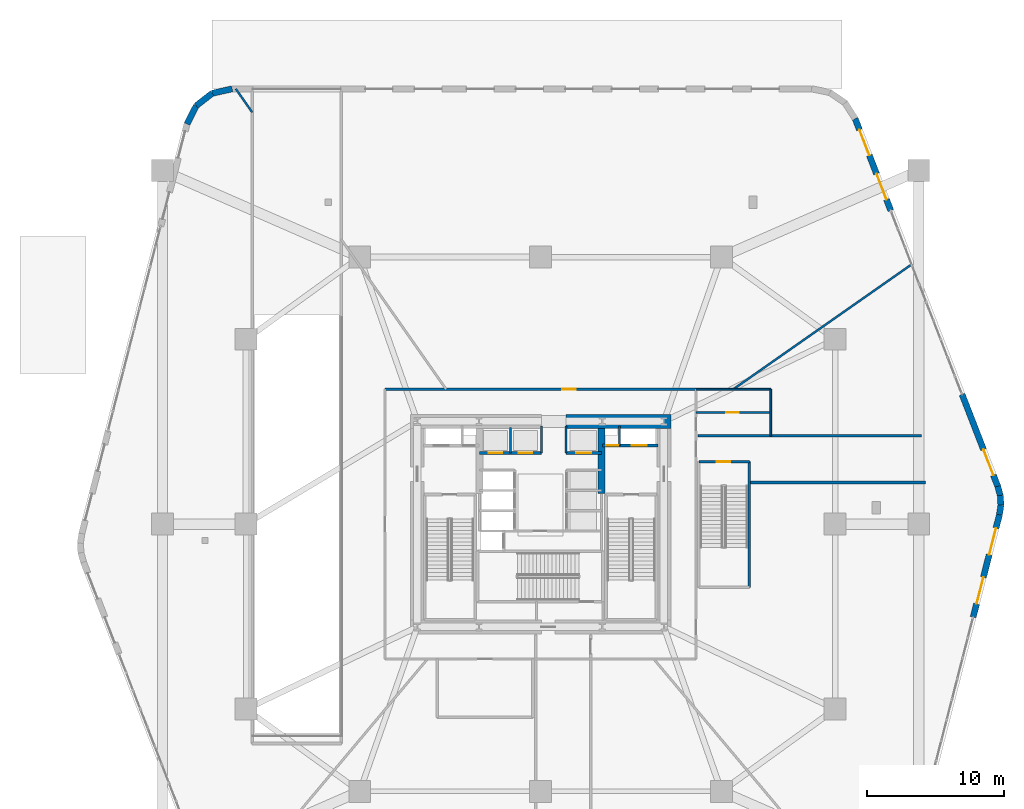
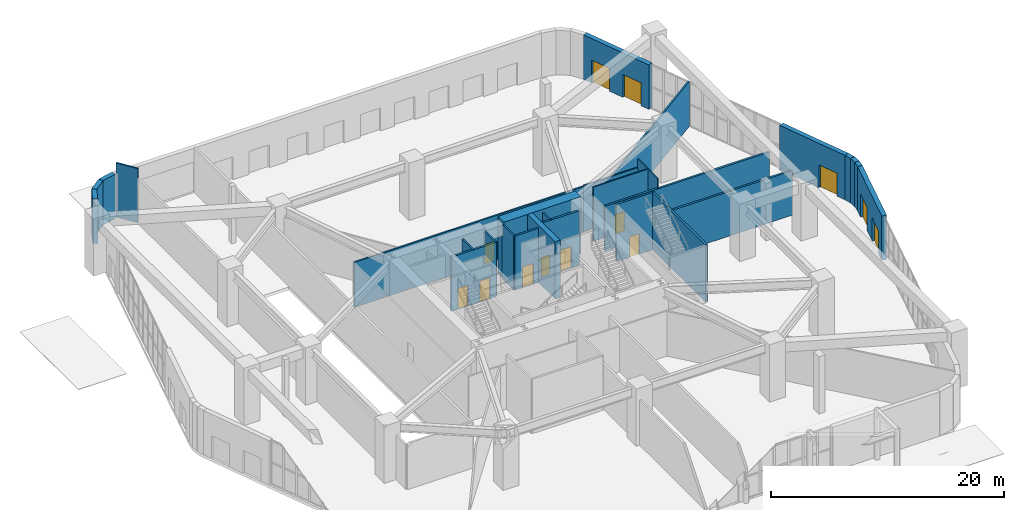
# One storey, part 26 of 35: 28 walls, 13 doors, 13 openings.
"""IFC4 building model written with IfcOpenShell, lengths in metres."""

from ifc_helpers import new_model, si_unit, direction, frame, frame_2d, origin, place, context, subcontext, project, spatial, rectangle, extrude, material, layer, layer_set, type_object, element, fill, save


model = new_model("IFC4")

# Units and contexts
model_context = context("Model", 3, precision=1e-05, world=origin(), true_north=direction((0.0, 1.0)))
body_context = subcontext(model_context, "Body", "Model", "MODEL_VIEW")
ifc_project = project(units=[si_unit("LENGTHUNIT", "METRE"), si_unit("AREAUNIT", "SQUARE_METRE"), si_unit("VOLUMEUNIT", "CUBIC_METRE"), si_unit("PLANEANGLEUNIT", "RADIAN"), si_unit("MASSUNIT", "GRAM", prefix="KILO")], contexts=[model_context])

# Site, building, storey
site_placement = place(None, origin())
site = spatial("IfcSite", under=ifc_project, at=site_placement, CompositionType="ELEMENT")
building_placement = place(site_placement, origin())
building = spatial("IfcBuilding", under=site, at=building_placement, Name="Kilnhurst Terrace Hotel", CompositionType="ELEMENT")
storey_placement = place(building_placement, origin())
storey = spatial("IfcBuildingStorey", under=building, at=storey_placement, Name="L00", CompositionType="ELEMENT", Elevation=0.0)

# Walls
ifc_material_1 = material(Name="Precast concrete C40/50", Category="concrete")
ifc_layer_1 = layer(ifc_material_1, 0.449951171875, Name="Precast concrete C40/50")
ifc_layer_set_1 = layer_set([ifc_layer_1], Name="Precast concrete C40/50")
wall_type_1 = type_object("IfcWallType", Name="WL-BRK-450", PredefinedType="SOLIDWALL", material=ifc_layer_set_1)
wall_1_placement = place(storey_placement, frame((33.49169921875, 0.68505859375, 0.0), z_axis=(0.0, 0.0, 1.0), x_axis=(0.147296976116, 0.98909231158, 0.0)))
element("IfcWall", 1, at=wall_1_placement, inside=storey, type_object=wall_type_1, Name="L00 Rounded Corner Brick Wall C3.1", PredefinedType="SOLIDWALL", context=body_context, shape_type="SweptSolid", body=[
    extrude(rectangle(XDim=0.70947265625, YDim=0.449951171875, at=frame_2d((0.354736328125, 0.0))), origin(), (0.0, 0.0, 1.0), 4.64990234375),
])
wall_2_placement = place(storey_placement, frame((33.59619140625, 1.38671875, 0.0), z_axis=(0.0, 0.0, 1.0), x_axis=(-0.059501681244, 0.998228205336, 0.0)))
element("IfcWall", 2, at=wall_2_placement, inside=storey, type_object=wall_type_1, Name="L00 Rounded Corner Brick Wall C3.2", PredefinedType="SOLIDWALL", context=body_context, shape_type="SweptSolid", body=[
    extrude(rectangle(XDim=0.697509765625, YDim=0.449951171875, at=frame_2d((0.3486328125, 0.0))), origin(), (0.0, 0.0, 1.0), 4.64990234375),
])
wall_3_placement = place(storey_placement, frame((33.5546875, 2.0830078125, 0.0), z_axis=(0.0, 0.0, 1.0), x_axis=(-0.263379583897, 0.964692279842, 0.0)))
element("IfcWall", 3, at=wall_3_placement, inside=storey, type_object=wall_type_1, Name="L00 Rounded Corner Brick Wall C3.3", PredefinedType="SOLIDWALL", context=body_context, shape_type="SweptSolid", body=[
    extrude(rectangle(XDim=0.709228515625, YDim=0.449951171875, at=frame_2d((0.3544921875, 0.0))), origin(), (0.0, 0.0, 1.0), 4.64990234375),
])
wall_4_placement = place(storey_placement, frame((-22.512939453125, 31.77490234375, 0.0), z_axis=(0.0, 0.0, 1.0), x_axis=(-0.97592514807, -0.218105720613, 0.0)))
element("IfcWall", 4, at=wall_4_placement, inside=storey, type_object=wall_type_1, Name="L00 Rounded Corner Brick Wall C5.1", PredefinedType="SOLIDWALL", context=body_context, shape_type="SweptSolid", body=[
    extrude(rectangle(XDim=1.495361328125, YDim=0.449951171875, at=frame_2d((0.74755859375, 0.0))), origin(), (0.0, 0.0, 1.0), 4.64990234375),
])
wall_5_placement = place(storey_placement, frame((-23.972412109375, 31.44873046875, 0.0), z_axis=(0.0, 0.0, 1.0), x_axis=(-0.790147566143, -0.612916653157, 0.0)))
element("IfcWall", 5, at=wall_5_placement, inside=storey, type_object=wall_type_1, Name="L00 Rounded Corner Brick Wall C5.2", PredefinedType="SOLIDWALL", context=body_context, shape_type="SweptSolid", body=[
    extrude(rectangle(XDim=1.4697265625, YDim=0.449951171875, at=frame_2d((0.73486328125, 0.0))), origin(), (0.0, 0.0, 1.0), 4.64990234375),
])
wall_6_placement = place(storey_placement, frame((-25.1337890625, 30.5478515625, 0.0), z_axis=(0.0, 0.0, 1.0), x_axis=(-0.45418744744, -0.890906146902, 0.0)))
element("IfcWall", 6, at=wall_6_placement, inside=storey, type_object=wall_type_1, Name="L00 Rounded Corner Brick Wall C5.3", PredefinedType="SOLIDWALL", context=body_context, shape_type="SweptSolid", body=[
    extrude(rectangle(XDim=1.495361328125, YDim=0.449951171875, at=frame_2d((0.74755859375, 0.0))), origin(), (0.0, 0.0, 1.0), 4.64990234375),
])

# Wall, openings, doors
wall_7_placement = place(storey_placement, frame((31.572021484375, -6.790283203125, 0.0), z_axis=(0.0, 0.0, 1.0), x_axis=(0.248730751762, 0.968572667964, 0.0)))
wall_7 = element("IfcWall", 7, at=wall_7_placement, inside=storey, type_object=wall_type_1, Name="L00 Face 2 End Brick Pier", PredefinedType="SOLIDWALL", context=body_context, shape_type="SweptSolid", body=[
    extrude(rectangle(XDim=7.7177734375, YDim=0.449951171875, at=frame_2d((3.85888671875, 0.0))), origin(), (0.0, 0.0, 1.0), 4.64990234375),
])
opening_1_placement = place(wall_7_placement, frame((1.007080078125, 0.0, 0.0)))
opening_1 = element("IfcOpeningElement", 8, at=opening_1_placement, cuts=wall_7, Name="Opening ED-06", PredefinedType="OPENING", context=body_context, shape_type="SweptSolid", body=[
    extrude(rectangle(XDim=2.0, YDim=2.39990234375, at=frame_2d((1.0, 1.199951171875))), frame((0.0, 0.23486328125, 0.0), z_axis=(0.0, -1.0, 0.0), x_axis=(1.0, 0.0, 0.0)), (0.0, 0.0, 1.0), 0.469970703125),
])
opening_2_placement = place(wall_7_placement, frame((4.7109375, 0.0, 0.0)))
opening_2 = element("IfcOpeningElement", 9, at=opening_2_placement, cuts=wall_7, Name="Opening ED-07", PredefinedType="OPENING", context=body_context, shape_type="SweptSolid", body=[
    extrude(rectangle(XDim=2.0, YDim=2.39990234375, at=frame_2d((1.0, 1.199951171875))), frame((0.0, 0.23486328125, 0.0), z_axis=(0.0, -1.0, 0.0), x_axis=(1.0, 0.0, 0.0)), (0.0, 0.0, 1.0), 0.469970703125),
])
ifc_material_2 = material(Name="Thermally Broken Bronze Aluminium Alloy 6063-T6 and Laminated Glass", Category="aluminium")
door_type_1 = type_object("IfcDoorType", Name="DR-EXT-EXIT-2000", OperationType="NOTDEFINED", PredefinedType="DOOR", material=ifc_material_2)
door_1_placement = place(opening_1_placement, origin())
door_1 = element("IfcDoor", 10, at=door_1_placement, inside=storey, type_object=door_type_1, Name="L00 Street Exit Door ED-06", OperationType="DOUBLE_SWING_LEFT", OverallHeight=2.39990234375, OverallWidth=2.0, PredefinedType="DOOR", context=body_context, shape_type="SweptSolid", body=[
    extrude(rectangle(XDim=2.0, YDim=2.39990234375, at=frame_2d((1.0, 1.199951171875))), frame((0.0, 0.02490234375, 0.0), z_axis=(0.0, -1.0, 0.0), x_axis=(1.0, 0.0, 0.0)), (0.0, 0.0, 1.0), 0.050048828125),
])
fill(opening_1, door_1)
door_2_placement = place(opening_2_placement, origin())
door_2 = element("IfcDoor", 11, at=door_2_placement, inside=storey, type_object=door_type_1, Name="L00 Street Exit Door ED-07", OperationType="DOUBLE_SWING_LEFT", OverallHeight=2.39990234375, OverallWidth=2.0, PredefinedType="DOOR", context=body_context, shape_type="SweptSolid", body=[
    extrude(rectangle(XDim=2.0, YDim=2.39990234375, at=frame_2d((1.0, 1.199951171875))), frame((0.0, 0.02490234375, 0.0), z_axis=(0.0, -1.0, 0.0), x_axis=(1.0, 0.0, 0.0)), (0.0, 0.0, 1.0), 0.050048828125),
])
fill(opening_2, door_2)

# Wall, opening, door
wall_8_placement = place(storey_placement, frame((33.367919921875, 2.76708984375, 0.0), z_axis=(0.0, 0.0, 1.0), x_axis=(-0.361647043452, 0.932315084058, 0.0)))
wall_8 = element("IfcWall", 12, at=wall_8_placement, inside=storey, type_object=wall_type_1, Name="L00 Face 3 Brick Pier 1", PredefinedType="SOLIDWALL", context=body_context, shape_type="SweptSolid", body=[
    extrude(rectangle(XDim=7.195068359375, YDim=0.449951171875, at=frame_2d((3.59765625, 0.0))), origin(), (0.0, 0.0, 1.0), 4.64990234375),
])
opening_3_placement = place(wall_8_placement, frame((0.87109375, 0.0, 0.0)))
opening_3 = element("IfcOpeningElement", 13, at=opening_3_placement, cuts=wall_8, Name="Opening ED-08", PredefinedType="OPENING", context=body_context, shape_type="SweptSolid", body=[
    extrude(rectangle(XDim=2.0, YDim=2.39990234375, at=frame_2d((1.0, 1.199951171875))), frame((0.0, 0.23486328125, 0.0), z_axis=(0.0, -1.0, 0.0), x_axis=(1.0, 0.0, 0.0)), (0.0, 0.0, 1.0), 0.469970703125),
])
door_3_placement = place(opening_3_placement, origin())
door_3 = element("IfcDoor", 14, at=door_3_placement, inside=storey, type_object=door_type_1, Name="L00 Street Exit Door ED-08", OperationType="DOUBLE_SWING_LEFT", OverallHeight=2.39990234375, OverallWidth=2.0, PredefinedType="DOOR", context=body_context, shape_type="SweptSolid", body=[
    extrude(rectangle(XDim=2.0, YDim=2.39990234375, at=frame_2d((1.0, 1.199951171875))), frame((0.0, 0.02490234375, 0.0), z_axis=(0.0, -1.0, 0.0), x_axis=(1.0, 0.0, 0.0)), (0.0, 0.0, 1.0), 0.050048828125),
])
fill(opening_3, door_3)

# Wall, openings, doors
wall_9_placement = place(storey_placement, frame((25.56201171875, 22.891357421875, 0.0), z_axis=(0.0, 0.0, 1.0), x_axis=(-0.361665095845, 0.932308081295, 0.0)))
wall_9 = element("IfcWall", 15, at=wall_9_placement, inside=storey, type_object=wall_type_1, Name="L00 Face 3 End Brick Pier", PredefinedType="SOLIDWALL", context=body_context, shape_type="SweptSolid", body=[
    extrude(rectangle(XDim=7.1953125, YDim=0.449951171875, at=frame_2d((3.59765625, 0.0))), origin(), (0.0, 0.0, 1.0), 4.64990234375),
])
opening_4_placement = place(wall_9_placement, frame((0.87109375, 0.0, 0.0)))
opening_4 = element("IfcOpeningElement", 16, at=opening_4_placement, cuts=wall_9, Name="Opening ED-09", PredefinedType="OPENING", context=body_context, shape_type="SweptSolid", body=[
    extrude(rectangle(XDim=2.0, YDim=2.39990234375, at=frame_2d((1.0, 1.199951171875))), frame((0.0, 0.23486328125, 0.0), z_axis=(0.0, -1.0, 0.0), x_axis=(1.0, 0.0, 0.0)), (0.0, 0.0, 1.0), 0.469970703125),
])
opening_5_placement = place(wall_9_placement, frame((4.323974609375, 0.0, 0.0)))
opening_5 = element("IfcOpeningElement", 17, at=opening_5_placement, cuts=wall_9, Name="Opening ED-10", PredefinedType="OPENING", context=body_context, shape_type="SweptSolid", body=[
    extrude(rectangle(XDim=2.0, YDim=2.39990234375, at=frame_2d((1.0, 1.199951171875))), frame((0.0, 0.23486328125, 0.0), z_axis=(0.0, -1.0, 0.0), x_axis=(1.0, 0.0, 0.0)), (0.0, 0.0, 1.0), 0.469970703125),
])
door_4_placement = place(opening_4_placement, origin())
door_4 = element("IfcDoor", 18, at=door_4_placement, inside=storey, type_object=door_type_1, Name="L00 Street Exit Door ED-09", OperationType="DOUBLE_SWING_LEFT", OverallHeight=2.39990234375, OverallWidth=2.0, PredefinedType="DOOR", context=body_context, shape_type="SweptSolid", body=[
    extrude(rectangle(XDim=2.0, YDim=2.39990234375, at=frame_2d((1.0, 1.199951171875))), frame((0.0, 0.02490234375, 0.0), z_axis=(0.0, -1.0, 0.0), x_axis=(1.0, 0.0, 0.0)), (0.0, 0.0, 1.0), 0.050048828125),
])
fill(opening_4, door_4)
door_5_placement = place(opening_5_placement, origin())
door_5 = element("IfcDoor", 19, at=door_5_placement, inside=storey, type_object=door_type_1, Name="L00 Street Exit Door ED-10", OperationType="DOUBLE_SWING_LEFT", OverallHeight=2.39990234375, OverallWidth=2.0, PredefinedType="DOOR", context=body_context, shape_type="SweptSolid", body=[
    extrude(rectangle(XDim=2.0, YDim=2.39990234375, at=frame_2d((1.0, 1.199951171875))), frame((0.0, 0.02490234375, 0.0), z_axis=(0.0, -1.0, 0.0), x_axis=(1.0, 0.0, 0.0)), (0.0, 0.0, 1.0), 0.050048828125),
])
fill(opening_5, door_5)

# Wall, opening, door
ifc_material_3 = material(Name="Acoustic Double-Gypsum Corridor Partition Assembly")
ifc_layer_2 = layer(ifc_material_3, 0.14990234375, Name="Acoustic Double-Gypsum Corridor Partition Assembly")
ifc_layer_set_2 = layer_set([ifc_layer_2], Name="Acoustic Double-Gypsum Corridor Partition Assembly")
wall_type_2 = type_object("IfcWallType", Name="WL-COR-150", PredefinedType="PARTITIONING", material=ifc_layer_set_2)
wall_10_placement = place(storey_placement, frame((-11.35009765625, 9.85009765625, 0.0), z_axis=(0.0, 0.0, 1.0), x_axis=(1.0, 0.0, 0.0)))
wall_10 = element("IfcWall", 20, at=wall_10_placement, inside=storey, type_object=wall_type_2, Name="L00 Interior Wall WL-L00-COR-02", PredefinedType="PARTITIONING", context=body_context, shape_type="SweptSolid", body=[
    extrude(rectangle(XDim=22.7001953125, YDim=0.14990234375, at=frame_2d((11.35009765625, 0.0))), origin(), (0.0, 0.0, 1.0), 4.721923828125),
])
opening_6_placement = place(wall_10_placement, frame((12.929931640625, 0.0, 0.0)))
opening_6 = element("IfcOpeningElement", 21, at=opening_6_placement, cuts=wall_10, Name="Opening D-10A", PredefinedType="OPENING", context=body_context, shape_type="SweptSolid", body=[
    extrude(rectangle(XDim=1.0, YDim=2.030029296875, at=frame_2d((0.5, 1.01513671875))), frame((0.0, 0.0849609375, 0.0), z_axis=(0.0, -1.0, 0.0), x_axis=(1.0, 0.0, 0.0)), (0.0, 0.0, 1.0), 0.169921875),
])
ifc_material_4 = material(Name="Solid-Core American White Oak Interior Door")
door_type_2 = type_object("IfcDoorType", Name="DR-INT-1000", OperationType="NOTDEFINED", PredefinedType="DOOR", material=ifc_material_4)
door_6_placement = place(opening_6_placement, origin())
door_6 = element("IfcDoor", 22, at=door_6_placement, inside=storey, type_object=door_type_2, Name="L00 Concierge Lounge and Luggage Salon Door", OperationType="SINGLE_SWING_LEFT", OverallHeight=2.030029296875, OverallWidth=1.0, PredefinedType="DOOR", context=body_context, shape_type="SweptSolid", body=[
    extrude(rectangle(XDim=1.0, YDim=2.030029296875, at=frame_2d((0.5, 1.01513671875))), frame((0.0, 0.02490234375, 0.0), z_axis=(0.0, -1.0, 0.0), x_axis=(1.0, 0.0, 0.0)), (0.0, 0.0, 1.0), 0.050048828125),
])
fill(opening_6, door_6)

# Walls
ifc_material_5 = material(Name="Concrete C80/95", Category="concrete")
ifc_layer_3 = layer(ifc_material_5, 1.0, Name="Concrete C80/95")
ifc_layer_set_3 = layer_set([ifc_layer_3], Name="Concrete C80/95")
wall_type_3 = type_object("IfcWallType", Name="WL-CORE-1000", PredefinedType="SHEAR", material=ifc_layer_set_3)
wall_11_placement = place(storey_placement, frame((1.85009765625, 7.5, 0.0), z_axis=(0.0, 0.0, 1.0), x_axis=(1.0, 0.0, 0.0)))
element("IfcWall", 23, at=wall_11_placement, inside=storey, type_object=wall_type_3, Name="L00 Core North East Shear Wall", PredefinedType="SHEAR", context=body_context, shape_type="SweptSolid", body=[
    extrude(rectangle(XDim=7.64990234375, YDim=1.0, at=frame_2d((3.824951171875, 0.0))), origin(), (0.0, 0.0, 1.0), 6.0),
])
ifc_material_6 = material(Name="Concrete C60/75", Category="concrete")
ifc_layer_4 = layer(ifc_material_6, 0.5, Name="Concrete C60/75")
ifc_layer_set_4 = layer_set([ifc_layer_4], Name="Concrete C60/75")
wall_type_4 = type_object("IfcWallType", Name="WL-CORE-WEB-500", PredefinedType="SHEAR", material=ifc_layer_set_4)
wall_12_placement = place(storey_placement, frame((4.449951171875, 2.25, 0.0), z_axis=(0.0, 0.0, 1.0), x_axis=(0.0, 1.0, 0.0)))
element("IfcWall", 24, at=wall_12_placement, inside=storey, type_object=wall_type_4, Name="L00 Core Internal East Shear Web", PredefinedType="SHEAR", context=body_context, shape_type="SweptSolid", body=[
    extrude(rectangle(XDim=4.75, YDim=0.5, at=frame_2d((2.375, 0.0))), origin(), (0.0, 0.0, 1.0), 6.0),
])
ifc_material_7 = material(Name="120 mm Moisture-Resistant Tile-Backed Bathroom Partition")
ifc_layer_5 = layer(ifc_material_7, 0.1201171875, Name="120 mm Moisture-Resistant Tile-Backed Bathroom Partition")
ifc_layer_set_5 = layer_set([ifc_layer_5], Name="120 mm Moisture-Resistant Tile-Backed Bathroom Partition")
wall_type_5 = type_object("IfcWallType", Name="WL-PART-120", PredefinedType="PARTITIONING", material=ifc_layer_set_5)
wall_13_placement = place(storey_placement, frame((16.800048828125, 6.449951171875, 0.0), z_axis=(0.0, 0.0, 1.0), x_axis=(0.0, 1.0, 0.0)))
element("IfcWall", 25, at=wall_13_placement, inside=storey, type_object=wall_type_5, Name="L00 Interior Wall WL-L00-PWC-E", PredefinedType="PARTITIONING", context=body_context, shape_type="SweptSolid", body=[
    extrude(rectangle(XDim=3.400146484375, YDim=0.1201171875, at=frame_2d((1.7001953125, 0.0))), origin(), (0.0, 0.0, 1.0), 5.679931640625),
])
wall_14_placement = place(storey_placement, frame((11.35009765625, 9.85009765625, 0.0), z_axis=(0.0, 0.0, 1.0), x_axis=(1.0, 0.0, 0.0)))
element("IfcWall", 26, at=wall_14_placement, inside=storey, type_object=wall_type_5, Name="L00 Interior Wall WL-L00-PWC-N", PredefinedType="PARTITIONING", context=body_context, shape_type="SweptSolid", body=[
    extrude(rectangle(XDim=5.449951171875, YDim=0.1201171875, at=frame_2d((2.72509765625, 0.0))), origin(), (0.0, 0.0, 1.0), 4.814208984375),
])

# Wall, opening, door
wall_15_placement = place(storey_placement, frame((11.35009765625, 8.14990234375, 0.0), z_axis=(0.0, 0.0, 1.0), x_axis=(1.0, 0.0, 0.0)))
wall_15 = element("IfcWall", 27, at=wall_15_placement, inside=storey, type_object=wall_type_5, Name="L00 Interior Wall WL-L00-PWC-MID", PredefinedType="PARTITIONING", context=body_context, shape_type="SweptSolid", body=[
    extrude(rectangle(XDim=5.449951171875, YDim=0.1201171875, at=frame_2d((2.72509765625, 0.0))), origin(), (0.0, 0.0, 1.0), 5.679931640625),
])
opening_7_placement = place(wall_15_placement, frame((2.199951171875, 0.0, 0.0)))
opening_7 = element("IfcOpeningElement", 28, at=opening_7_placement, cuts=wall_15, Name="Opening D-09B", PredefinedType="OPENING", context=body_context, shape_type="SweptSolid", body=[
    extrude(rectangle(XDim=0.89990234375, YDim=2.030029296875, at=frame_2d((0.449951171875, 1.01513671875))), frame((0.0, 0.070068359375, 0.0), z_axis=(0.0, -1.0, 0.0), x_axis=(1.0, 0.0, 0.0)), (0.0, 0.0, 1.0), 0.14013671875),
])
ifc_material_8 = material(Name="Moisture-Resistant Solid-Core Restroom Door")
door_type_3 = type_object("IfcDoorType", Name="DR-INT-900", OperationType="NOTDEFINED", PredefinedType="DOOR", material=ifc_material_8)
door_7_placement = place(opening_7_placement, origin())
door_7 = element("IfcDoor", 29, at=door_7_placement, inside=storey, type_object=door_type_3, Name="L00 Accessible Restroom Door", OperationType="SINGLE_SWING_RIGHT", OverallHeight=2.030029296875, OverallWidth=0.89990234375, PredefinedType="DOOR", context=body_context, shape_type="SweptSolid", body=[
    extrude(rectangle(XDim=0.89990234375, YDim=2.030029296875, at=frame_2d((0.449951171875, 1.01513671875))), frame((0.0, 0.02490234375, 0.0), z_axis=(0.0, -1.0, 0.0), x_axis=(1.0, 0.0, 0.0)), (0.0, 0.0, 1.0), 0.050048828125),
])
fill(opening_7, door_7)

# Walls
ifc_material_9 = material(Name="150 mm Acoustic Gypsum Hospitality Partition")
ifc_layer_6 = layer(ifc_material_9, 0.14990234375, Name="150 mm Acoustic Gypsum Hospitality Partition")
ifc_layer_set_6 = layer_set([ifc_layer_6], Name="150 mm Acoustic Gypsum Hospitality Partition")
wall_type_6 = type_object("IfcWallType", Name="WL-PART-150", PredefinedType="PARTITIONING", material=ifc_layer_set_6)
wall_16_placement = place(storey_placement, frame((14.0673828125, 9.85009765625, 0.0), z_axis=(0.0, 0.0, 1.0), x_axis=(0.819152520239, 0.573575756623, 0.0)))
element("IfcWall", 30, at=wall_16_placement, inside=storey, type_object=wall_type_6, Name="L00 Interior Wall WL-L00-PDIV-3-1", PredefinedType="PARTITIONING", context=body_context, shape_type="SweptSolid", body=[
    extrude(rectangle(XDim=15.8916015625, YDim=0.14990234375, at=frame_2d((7.94580078125, 0.0))), origin(), (0.0, 0.0, 1.0), 4.721923828125),
])
wall_17_placement = place(storey_placement, frame((-21.050048828125, 30.0625, 0.0), z_axis=(0.0, 0.0, 1.0), x_axis=(-0.57355639976, 0.819166073696, 0.0)))
element("IfcWall", 31, at=wall_17_placement, inside=storey, type_object=wall_type_6, Name="L00 Interior Wall WL-L00-PDIV-4-2", PredefinedType="PARTITIONING", context=body_context, shape_type="SweptSolid", body=[
    extrude(rectangle(XDim=2.09033203125, YDim=0.14990234375, at=frame_2d((1.045166015625, 0.0))), origin(), (0.0, 0.0, 1.0), 5.679931640625),
])
ifc_material_10 = material(Name="Fire-Rated Gypsum Shaftliner Assembly")
ifc_layer_7 = layer(ifc_material_10, 0.14990234375, Name="Fire-Rated Gypsum Shaftliner Assembly")
ifc_layer_set_7 = layer_set([ifc_layer_7], Name="Fire-Rated Gypsum Shaftliner Assembly")
wall_type_7 = type_object("IfcWallType", Name="WL-SHAFT-150", PredefinedType="PARTITIONING", material=ifc_layer_set_7)
wall_18_placement = place(storey_placement, frame((5.75, 5.739990234375, 0.0), z_axis=(0.0, 0.0, 1.0), x_axis=(0.0, 1.0, 0.0)))
element("IfcWall", 32, at=wall_18_placement, inside=storey, type_object=wall_type_7, Name="L00 Interior Wall WL-L00-RIS2-DIV", PredefinedType="PARTITIONING", context=body_context, shape_type="SweptSolid", body=[
    extrude(rectangle(XDim=1.409912109375, YDim=0.14990234375, at=frame_2d((0.705078125, 0.0))), origin(), (0.0, 0.0, 1.0), 5.679931640625),
])
wall_19_placement = place(storey_placement, frame((-2.199951171875, 5.199951171875, 0.0), z_axis=(0.0, 0.0, 1.0), x_axis=(0.0, 1.0, 0.0)))
element("IfcWall", 33, at=wall_19_placement, inside=storey, type_object=wall_type_7, Name="L00 Interior Wall WL-L00-HR-DIV1", PredefinedType="PARTITIONING", context=body_context, shape_type="SweptSolid", body=[
    extrude(rectangle(XDim=1.85009765625, YDim=0.14990234375, at=frame_2d((0.925048828125, 0.0))), origin(), (0.0, 0.0, 1.0), 5.679931640625),
])
for number, where, z_axis, x_axis, name in (
    (34, (0.050048828125, 5.199951171875, 0.0), (0.0, 0.0, 1.0), (0.0, 1.0, 0.0), "L00 Interior Wall WL-L00-HR-PORTAL-W"),
    (35, (1.85009765625, 5.199951171875, 0.0), (0.0, 0.0, 1.0), (0.0, 1.0, 0.0), "L00 Interior Wall WL-L00-HR-PORTAL-E"),
):
    element("IfcWall", number, at=place(storey_placement, frame(where, z_axis=z_axis, x_axis=x_axis)), inside=storey, type_object=wall_type_7, Name=name, PredefinedType="PARTITIONING", context=body_context, shape_type="SweptSolid", body=[
        extrude(rectangle(XDim=1.949951171875, YDim=0.14990234375, at=frame_2d((0.97509765625, 0.0))), origin(), (0.0, 0.0, 1.0), 5.679931640625),
    ])

# Wall, openings, doors
ifc_material_11 = material(Name="Autoclaved Aerated Concrete C30/37 and Gypsum Shaft Assembly", Category="concrete")
ifc_layer_8 = layer(ifc_material_11, 0.199951171875, Name="Autoclaved Aerated Concrete C30/37 and Gypsum Shaft Assembly")
ifc_layer_set_8 = layer_set([ifc_layer_8], Name="Autoclaved Aerated Concrete C30/37 and Gypsum Shaft Assembly")
wall_type_8 = type_object("IfcWallType", Name="WL-SHAFT-200", PredefinedType="PARTITIONING", material=ifc_layer_set_8)
wall_20_placement = place(storey_placement, frame((4.5, 5.739990234375, 0.0), z_axis=(0.0, 0.0, 1.0), x_axis=(1.0, 0.0, 0.0)))
wall_20 = element("IfcWall", 36, at=wall_20_placement, inside=storey, type_object=wall_type_8, Name="L00 Interior Wall WL-L00-FSAE2-S", PredefinedType="PARTITIONING", context=body_context, shape_type="SweptSolid", body=[
    extrude(rectangle(XDim=4.050048828125, YDim=0.199951171875, at=frame_2d((2.02490234375, 0.0))), origin(), (0.0, 0.0, 1.0), 5.679931640625),
])
opening_8_placement = place(wall_20_placement, frame((0.300048828125, 0.0, 0.0)))
opening_8 = element("IfcOpeningElement", 37, at=opening_8_placement, cuts=wall_20, Name="Opening D-60D", PredefinedType="OPENING", context=body_context, shape_type="SweptSolid", body=[
    extrude(rectangle(XDim=0.85009765625, YDim=2.030029296875, at=frame_2d((0.425048828125, 1.01513671875))), frame((0.0, 0.10986328125, 0.0), z_axis=(0.0, -1.0, 0.0), x_axis=(1.0, 0.0, 0.0)), (0.0, 0.0, 1.0), 0.219970703125),
])
opening_9_placement = place(wall_20_placement, frame((2.14990234375, 0.0, 0.0)))
opening_9 = element("IfcOpeningElement", 38, at=opening_9_placement, cuts=wall_20, Name="Opening LD-F2", PredefinedType="OPENING", context=body_context, shape_type="SweptSolid", body=[
    extrude(rectangle(XDim=1.10009765625, YDim=2.199951171875, at=frame_2d((0.550048828125, 1.10009765625))), frame((0.0, 0.10986328125, 0.0), z_axis=(0.0, -1.0, 0.0), x_axis=(1.0, 0.0, 0.0)), (0.0, 0.0, 1.0), 0.219970703125),
])
ifc_material_12 = material(Name="Painted Hollow Metal Steel ASTM A36 Riser Door", Category="steel")
door_type_4 = type_object("IfcDoorType", Name="DR-FD60-850", OperationType="NOTDEFINED", PredefinedType="DOOR", material=ifc_material_12)
door_8_placement = place(opening_8_placement, origin())
door_8 = element("IfcDoor", 39, at=door_8_placement, inside=storey, type_object=door_type_4, Name="L00 Telecom Riser Door", OperationType="SINGLE_SWING_RIGHT", OverallHeight=2.030029296875, OverallWidth=0.85009765625, PredefinedType="DOOR", context=body_context, shape_type="SweptSolid", body=[
    extrude(rectangle(XDim=0.85009765625, YDim=2.030029296875, at=frame_2d((0.425048828125, 1.01513671875))), frame((0.0, 0.02490234375, 0.0), z_axis=(0.0, -1.0, 0.0), x_axis=(1.0, 0.0, 0.0)), (0.0, 0.0, 1.0), 0.050048828125),
])
fill(opening_8, door_8)
ifc_material_13 = material(Name="Bronze-Anodized Stainless Steel AISI 316L Sliding Door", Category="steel")
door_type_5 = type_object("IfcDoorType", Name="DR-LIFT-1100", OperationType="NOTDEFINED", PredefinedType="DOOR", material=ifc_material_13)
door_9_placement = place(opening_9_placement, origin())
door_9 = element("IfcDoor", 40, at=door_9_placement, inside=storey, type_object=door_type_5, Name="L00 FSAE-2 Landing Door", OperationType="SLIDING_TO_RIGHT", OverallHeight=2.199951171875, OverallWidth=1.10009765625, PredefinedType="DOOR", context=body_context, shape_type="SweptSolid", body=[
    extrude(rectangle(XDim=1.10009765625, YDim=2.199951171875, at=frame_2d((0.550048828125, 1.10009765625))), frame((0.0, 0.02490234375, 0.0), z_axis=(0.0, -1.0, 0.0), x_axis=(1.0, 0.0, 0.0)), (0.0, 0.0, 1.0), 0.050048828125),
])
fill(opening_9, door_9)

wall_21_placement = place(storey_placement, frame((-4.449951171875, 5.199951171875, 0.0), z_axis=(0.0, 0.0, 1.0), x_axis=(1.0, 0.0, 0.0)))
wall_21 = element("IfcWall", 41, at=wall_21_placement, inside=storey, type_object=wall_type_8, Name="L00 Interior Wall WL-L00-HR-SW", PredefinedType="PARTITIONING", context=body_context, shape_type="SweptSolid", body=[
    extrude(rectangle(XDim=4.5, YDim=0.199951171875, at=frame_2d((2.25, 0.0))), origin(), (0.0, 0.0, 1.0), 5.679931640625),
])
opening_10_placement = place(wall_21_placement, frame((0.64990234375, 0.0, 0.0)))
opening_10 = element("IfcOpeningElement", 42, at=opening_10_placement, cuts=wall_21, Name="Opening LD-HR", PredefinedType="OPENING", context=body_context, shape_type="SweptSolid", body=[
    extrude(rectangle(XDim=1.0, YDim=2.199951171875, at=frame_2d((0.5, 1.10009765625))), frame((0.0, 0.10986328125, 0.0), z_axis=(0.0, -1.0, 0.0), x_axis=(1.0, 0.0, 0.0)), (0.0, 0.0, 1.0), 0.219970703125),
])
opening_11_placement = place(wall_21_placement, frame((2.85009765625, 0.0, 0.0)))
opening_11 = element("IfcOpeningElement", 43, at=opening_11_placement, cuts=wall_21, Name="Opening LD-HS", PredefinedType="OPENING", context=body_context, shape_type="SweptSolid", body=[
    extrude(rectangle(XDim=1.0, YDim=2.199951171875, at=frame_2d((0.5, 1.10009765625))), frame((0.0, 0.10986328125, 0.0), z_axis=(0.0, -1.0, 0.0), x_axis=(1.0, 0.0, 0.0)), (0.0, 0.0, 1.0), 0.219970703125),
])
door_type_6 = type_object("IfcDoorType", Name="DR-LIFT-1000", OperationType="NOTDEFINED", PredefinedType="DOOR", material=ifc_material_13)
door_10_placement = place(opening_10_placement, origin())
door_10 = element("IfcDoor", 44, at=door_10_placement, inside=storey, type_object=door_type_6, Name="L00 High Rise Lift HR-1 Landing Door", OperationType="SLIDING_TO_LEFT", OverallHeight=2.199951171875, OverallWidth=1.0, PredefinedType="DOOR", context=body_context, shape_type="SweptSolid", body=[
    extrude(rectangle(XDim=1.0, YDim=2.199951171875, at=frame_2d((0.5, 1.10009765625))), frame((0.0, 0.02490234375, 0.0), z_axis=(0.0, -1.0, 0.0), x_axis=(1.0, 0.0, 0.0)), (0.0, 0.0, 1.0), 0.050048828125),
])
fill(opening_10, door_10)
door_11_placement = place(opening_11_placement, origin())
door_11 = element("IfcDoor", 45, at=door_11_placement, inside=storey, type_object=door_type_6, Name="L00 High Rise Lift HR-3 Landing Door", OperationType="SLIDING_TO_RIGHT", OverallHeight=2.199951171875, OverallWidth=1.0, PredefinedType="DOOR", context=body_context, shape_type="SweptSolid", body=[
    extrude(rectangle(XDim=1.0, YDim=2.199951171875, at=frame_2d((0.5, 1.10009765625))), frame((0.0, 0.02490234375, 0.0), z_axis=(0.0, -1.0, 0.0), x_axis=(1.0, 0.0, 0.0)), (0.0, 0.0, 1.0), 0.050048828125),
])
fill(opening_11, door_11)

# Wall, opening, door
wall_22_placement = place(storey_placement, frame((1.85009765625, 5.199951171875, 0.0), z_axis=(0.0, 0.0, 1.0), x_axis=(1.0, 0.0, 0.0)))
wall_22 = element("IfcWall", 46, at=wall_22_placement, inside=storey, type_object=wall_type_8, Name="L00 Interior Wall WL-L00-HR-SE", PredefinedType="PARTITIONING", context=body_context, shape_type="SweptSolid", body=[
    extrude(rectangle(XDim=2.599853515625, YDim=0.199951171875, at=frame_2d((1.2998046875, 0.0))), origin(), (0.0, 0.0, 1.0), 5.679931640625),
])
opening_12_placement = place(wall_22_placement, frame((0.75, 0.0, 0.0)))
opening_12 = element("IfcOpeningElement", 47, at=opening_12_placement, cuts=wall_22, Name="Opening LD-H2", PredefinedType="OPENING", context=body_context, shape_type="SweptSolid", body=[
    extrude(rectangle(XDim=1.10009765625, YDim=2.199951171875, at=frame_2d((0.550048828125, 1.10009765625))), frame((0.0, 0.10986328125, 0.0), z_axis=(0.0, -1.0, 0.0), x_axis=(1.0, 0.0, 0.0)), (0.0, 0.0, 1.0), 0.219970703125),
])
door_12_placement = place(opening_12_placement, origin())
door_12 = element("IfcDoor", 48, at=door_12_placement, inside=storey, type_object=door_type_5, Name="L00 High Rise Lift HR-2 Landing Door", OperationType="SLIDING_TO_RIGHT", OverallHeight=2.199951171875, OverallWidth=1.10009765625, PredefinedType="DOOR", context=body_context, shape_type="SweptSolid", body=[
    extrude(rectangle(XDim=1.10009765625, YDim=2.199951171875, at=frame_2d((0.550048828125, 1.10009765625))), frame((0.0, 0.02490234375, 0.0), z_axis=(0.0, -1.0, 0.0), x_axis=(1.0, 0.0, 0.0)), (0.0, 0.0, 1.0), 0.050048828125),
])
fill(opening_12, door_12)

# Walls
wall_23_placement = place(storey_placement, frame((11.5, 6.449951171875, 0.0), z_axis=(0.0, 0.0, 1.0), x_axis=(1.0, 0.0, 0.0)))
element("IfcWall", 49, at=wall_23_placement, inside=storey, type_object=wall_type_8, Name="L00 Interior Wall WL-L00-S4PSG-N", PredefinedType="PARTITIONING", context=body_context, shape_type="SweptSolid", body=[
    extrude(rectangle(XDim=16.300048828125, YDim=0.199951171875, at=frame_2d((8.14990234375, 0.0))), origin(), (0.0, 0.0, 1.0), 4.669921875),
])
wall_24_placement = place(storey_placement, frame((15.25, 3.050048828125, 0.0), z_axis=(0.0, 0.0, 1.0), x_axis=(1.0, 0.0, 0.0)))
element("IfcWall", 50, at=wall_24_placement, inside=storey, type_object=wall_type_8, Name="L00 Interior Wall WL-L00-S4PSG-S", PredefinedType="PARTITIONING", context=body_context, shape_type="SweptSolid", body=[
    extrude(rectangle(XDim=12.85009765625, YDim=0.199951171875, at=frame_2d((6.425048828125, 0.0))), origin(), (0.0, 0.0, 1.0), 4.669921875),
])
ifc_material_14 = material(Name="Concrete C50/60", Category="concrete")
ifc_layer_9 = layer(ifc_material_14, 0.199951171875, Name="Concrete C50/60")
ifc_layer_set_9 = layer_set([ifc_layer_9], Name="Concrete C50/60")
wall_type_9 = type_object("IfcWallType", Name="WL-STAIR-RC-200", PredefinedType="SHEAR", material=ifc_layer_set_9)
wall_25_placement = place(storey_placement, frame((15.22802734375, -4.60791015625, 0.0), z_axis=(0.0, 0.0, 1.0), x_axis=(0.0, 1.0, 0.0)))
element("IfcWall", 51, at=wall_25_placement, inside=storey, type_object=wall_type_9, Name="L00 Podium Stair ST-4 Structural Shaft Wall WL-L00-ST4-E", PredefinedType="SHEAR", context=body_context, shape_type="SweptSolid", body=[
    extrude(rectangle(XDim=9.166015625, YDim=0.199951171875, at=frame_2d((4.5830078125, 0.0))), origin(), (0.0, 0.0, 1.0), 6.0),
])

# Wall, opening, door
wall_26_placement = place(storey_placement, frame((11.5419921875, 4.55810546875, 0.0), z_axis=(0.0, 0.0, 1.0), x_axis=(1.0, 0.0, 0.0)))
wall_26 = element("IfcWall", 52, at=wall_26_placement, inside=storey, type_object=wall_type_9, Name="L00 Podium Stair ST-4 Structural Shaft Wall WL-L00-ST4-N", PredefinedType="SHEAR", context=body_context, shape_type="SweptSolid", body=[
    extrude(rectangle(XDim=3.68603515625, YDim=0.199951171875, at=frame_2d((1.843017578125, 0.0))), origin(), (0.0, 0.0, 1.0), 6.0),
])
opening_13_placement = place(wall_26_placement, frame((1.300048828125, 0.0, 0.0)))
opening_13 = element("IfcOpeningElement", 53, at=opening_13_placement, cuts=wall_26, Name="Opening D-90B", PredefinedType="OPENING", context=body_context, shape_type="SweptSolid", body=[
    extrude(rectangle(XDim=1.0, YDim=2.14990234375, at=frame_2d((0.5, 1.074951171875))), frame((0.0, 0.10986328125, 0.0), z_axis=(0.0, -1.0, 0.0), x_axis=(1.0, 0.0, 0.0)), (0.0, 0.0, 1.0), 0.219970703125),
])
ifc_material_15 = material(Name="Painted Hollow Metal Steel ASTM A36 Fire Door", Category="steel")
door_type_7 = type_object("IfcDoorType", Name="DR-FD90-1000", OperationType="NOTDEFINED", PredefinedType="DOOR", material=ifc_material_15)
door_13_placement = place(opening_13_placement, origin())
door_13 = element("IfcDoor", 54, at=door_13_placement, inside=storey, type_object=door_type_7, Name="L00 Stair ST-4 Door", OperationType="SINGLE_SWING_RIGHT", OverallHeight=2.14990234375, OverallWidth=1.0, PredefinedType="DOOR", context=body_context, shape_type="SweptSolid", body=[
    extrude(rectangle(XDim=1.0, YDim=2.14990234375, at=frame_2d((0.5, 1.074951171875))), frame((0.0, 0.02490234375, 0.0), z_axis=(0.0, -1.0, 0.0), x_axis=(1.0, 0.0, 0.0)), (0.0, 0.0, 1.0), 0.050048828125),
])
fill(opening_13, door_13)

save(model, "model.ifc")
